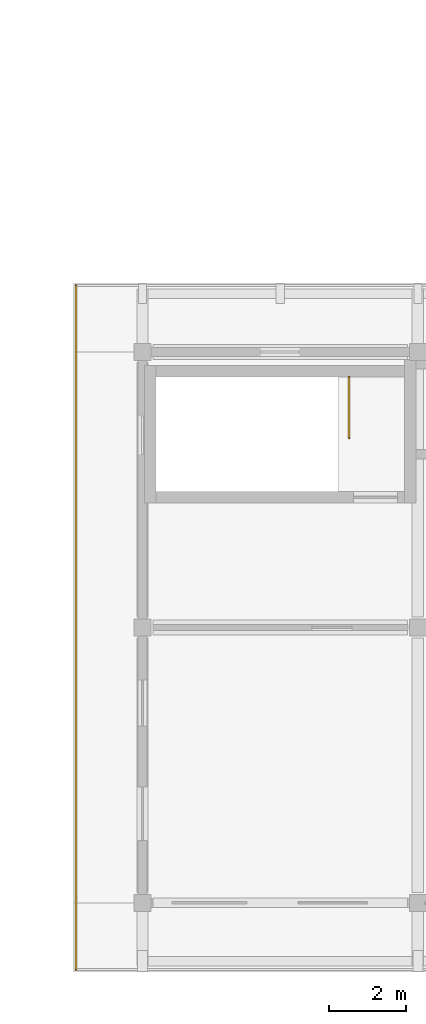
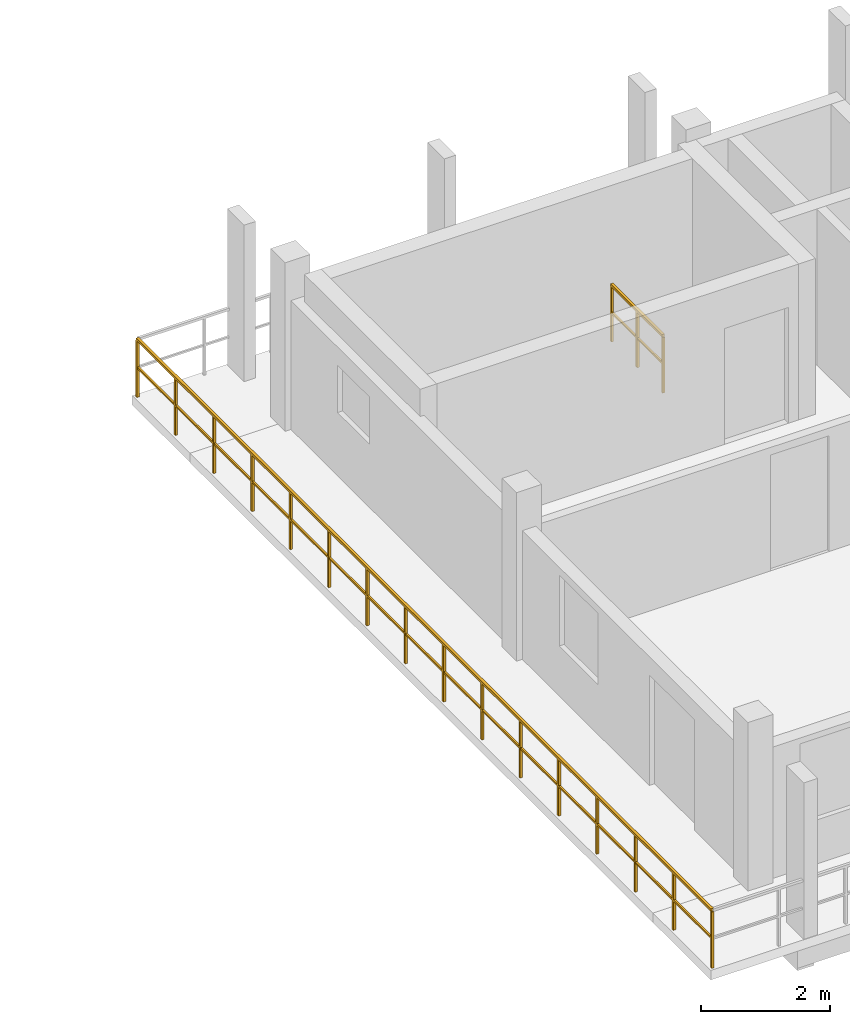
# One storey, part 48 of 56: 2 railings.
"""IFC4 building model written with IfcOpenShell, lengths in metres."""

import ifcopenshell
import ifcopenshell.guid

model = None  # the IFC model being written
_history = None  # IfcOwnerHistory: only IFC2X3 demands one
_inside = {}  # id of a spatial element -> (the spatial element, [elements in it])
_under = {}  # id of a project, library or spatial element -> (it, [spatial elements below it])
_declared = {}  # id of a project -> (the project, [libraries it declares])
_typed = {}  # id of a type object -> (the type object, [elements of that type])
_made_of = {}  # id of a material, layer set ... -> (it, [elements and type objects made of it])


def new_model(schema):
    """Start an empty IFC model of exactly this schema.

    Asked for "IFC4X3", IfcOpenShell would pick the latest addendum, in which some entities
    have other attributes; the version numbers below select the first issue.
    IFC2X3 requires an IfcOwnerHistory on every rooted entity: one is made here for all.
    """
    global model, _history
    if schema == "IFC4X3":
        model = ifcopenshell.file(schema_version=(4, 3, 0, 0))
    else:
        model = ifcopenshell.file(schema=schema)
    _inside.clear()
    _under.clear()
    _declared.clear()
    _typed.clear()
    _made_of.clear()
    _history = None
    if model.schema == "IFC2X3":
        org = make("IfcOrganization", Name="unknown")
        user = make(
            "IfcPersonAndOrganization",
            ThePerson=make("IfcPerson", FamilyName="unknown"),
            TheOrganization=org,
        )
        app = make(
            "IfcApplication",
            ApplicationDeveloper=org,
            Version="unknown",
            ApplicationFullName="unknown",
            ApplicationIdentifier="unknown",
        )
        _history = make(
            "IfcOwnerHistory",
            OwningUser=user,
            OwningApplication=app,
            ChangeAction="ADDED",
            CreationDate=0,
        )
    return model


def make(cls, **values):
    """One entity of the class cls with the attributes given. An attribute that is None is left unset."""
    return model.create_entity(
        cls, **{name: value for name, value in values.items() if value is not None}
    )


def rooted(cls, **values):
    """An entity with a GlobalId (a new one), such as an element, a storey or a relation."""
    return make(cls, GlobalId=ifcopenshell.guid.new(), OwnerHistory=_history, **values)


def si_unit(unit_type, name, prefix=None):
    """IfcSIUnit, for example si_unit("LENGTHUNIT", "METRE", prefix="MILLI")."""
    return make("IfcSIUnit", UnitType=unit_type, Prefix=prefix, Name=name)


def assignment(units):
    """IfcUnitAssignment: the units of a project."""
    return None if units is None else make("IfcUnitAssignment", Units=units)


def point(xyz):
    """IfcCartesianPoint."""
    return None if xyz is None else make("IfcCartesianPoint", Coordinates=xyz)


def direction(xyz):
    """IfcDirection."""
    return None if xyz is None else make("IfcDirection", DirectionRatios=xyz)


def frame(location, z_axis=None, x_axis=None):
    """IfcAxis2Placement3D, a coordinate frame: its origin and axes. An axis left out is left unset."""
    return make(
        "IfcAxis2Placement3D",
        Location=point(location),
        Axis=direction(z_axis),
        RefDirection=direction(x_axis),
    )


def frame_2d(location, x_axis=None):
    """IfcAxis2Placement2D, a coordinate frame in the plane: its origin and x axis."""
    return make(
        "IfcAxis2Placement2D", Location=point(location), RefDirection=direction(x_axis)
    )


def origin():
    """The frame at (0, 0, 0) with its axes left unset."""
    return frame((0.0, 0.0, 0.0))


def origin_2d():
    """The frame at (0, 0) in the plane with its x axis left unset."""
    return frame_2d((0.0, 0.0))


def place(relative_to, where):
    """IfcLocalPlacement: puts the frame where relative to a parent placement (None: the world)."""
    return make(
        "IfcLocalPlacement", PlacementRelTo=relative_to, RelativePlacement=where
    )


def context(
    kind, dimensions, precision=None, world=None, true_north=None, identifier=None
):
    """IfcGeometricRepresentationContext, for example the 3D "Model" context."""
    return make(
        "IfcGeometricRepresentationContext",
        ContextIdentifier=identifier,
        ContextType=kind,
        CoordinateSpaceDimension=dimensions,
        Precision=precision,
        WorldCoordinateSystem=world,
        TrueNorth=true_north,
    )


def subcontext(parent, identifier, kind, view, scale=None):
    """IfcGeometricRepresentationSubContext, for example "Body" below "Model"."""
    return make(
        "IfcGeometricRepresentationSubContext",
        ContextIdentifier=identifier,
        ContextType=kind,
        ParentContext=parent,
        TargetScale=scale,
        TargetView=view,
    )


def project(units=None, contexts=None):
    """IfcProject with its units and contexts."""
    return rooted(
        "IfcProject",
        Name="project",
        RepresentationContexts=contexts,
        UnitsInContext=assignment(units),
    )


def spatial(cls, under=None, at=None, **own):
    """A site, building, storey or space (cls), placed at a placement, below another one or the project."""
    s = rooted(cls, ObjectPlacement=at, **own)
    if under is not None:
        _under.setdefault(under.id(), (under, []))[1].append(s)
    return s


def profile(cls, at=None, kind="AREA", **sizes):
    """A parametric profile (cls). Its sizes go by their IFC names, for example OverallWidth=200.0."""
    return make(cls, ProfileType=kind, Position=at, **sizes)


def rectangle(**sizes):
    """IfcRectangleProfileDef."""
    return profile("IfcRectangleProfileDef", **sizes)


def extrude(swept, where, along, depth):
    """IfcExtrudedAreaSolid: the profile swept, set in the frame where, extruded along a direction by depth."""
    return make(
        "IfcExtrudedAreaSolid",
        SweptArea=swept,
        Position=where,
        ExtrudedDirection=direction(along),
        Depth=depth,
    )


def shape(context_of_items, identifier, shape_type, items):
    """IfcShapeRepresentation: the items that make up one representation, for example the "Body"."""
    return make(
        "IfcShapeRepresentation",
        ContextOfItems=context_of_items,
        RepresentationIdentifier=identifier,
        RepresentationType=shape_type,
        Items=items,
    )


def material(Name=None, Category=None):
    """IfcMaterial."""
    return make("IfcMaterial", Name=Name, Category=Category)


def made_of(thing, what):
    """Note that an element or type object is made of a material, layer set ...; save() writes the relation."""
    if what is not None:
        _made_of.setdefault(what.id(), (what, []))[1].append(thing)
    return thing


def type_object(cls, material=None, **own):
    """A type object (cls), such as IfcWallType, which elements share."""
    return made_of(rooted(cls, **own), material)


def element(
    cls,
    number,
    at=None,
    inside=None,
    cuts=None,
    type_object=None,
    material=None,
    context=None,
    identifier="Body",
    shape_type=None,
    held_by="IfcProductDefinitionShape",
    body=None,
    shapes=None,
    **own,
):
    """One element of the class cls, such as IfcWall. Its Tag is "e" and its number.

    at: its placement. inside: the storey or other place that contains it. cuts: it is an
    opening in that element (IfcRelVoidsElement). A single representation is given by context,
    identifier, shape_type and body (its items); several are given by shapes. held_by: the class
    of the entity that holds the representations. save() writes the other relations.
    """
    e = rooted(cls, Tag="e%d" % number, ObjectPlacement=at, **own)
    if body is not None:
        shapes = [shape(context, identifier, shape_type, body)]
    if shapes is not None:
        e.Representation = make(held_by, Representations=shapes)
    if inside is not None:
        _inside.setdefault(inside.id(), (inside, []))[1].append(e)
    if cuts is not None:
        rooted(
            "IfcRelVoidsElement", RelatingBuildingElement=cuts, RelatedOpeningElement=e
        )
    if type_object is not None:
        _typed.setdefault(type_object.id(), (type_object, []))[1].append(e)
    return made_of(e, material)


def aggregate(whole, parts):
    """IfcRelAggregates: a whole, such as a stair, and the parts it consists of."""
    return rooted("IfcRelAggregates", RelatingObject=whole, RelatedObjects=parts)


def save(model, path):
    """Write the relations noted so far, then the file.

    IfcRelAggregates (storeys below a building ...), IfcRelContainedInSpatialStructure (elements
    in a storey), IfcRelDefinesByType, IfcRelAssociatesMaterial and IfcRelDeclares: one each for
    every whole, place, type object, material and project.
    """
    for whole, parts in _under.values():
        aggregate(whole, parts)
    for where, things in _inside.values():
        rooted(
            "IfcRelContainedInSpatialStructure",
            RelatedElements=things,
            RelatingStructure=where,
        )
    for kind, things in _typed.values():
        rooted("IfcRelDefinesByType", RelatedObjects=things, RelatingType=kind)
    for what, things in _made_of.values():
        rooted("IfcRelAssociatesMaterial", RelatedObjects=things, RelatingMaterial=what)
    for by, libraries in _declared.values():
        rooted("IfcRelDeclares", RelatingContext=by, RelatedDefinitions=libraries)
    model.write(path)


model = new_model("IFC4")

# Units and contexts
model_context = context("Model", 3, precision=1e-05, world=origin(), true_north=direction((0.0, 1.0)))
body_context = subcontext(model_context, "Body", "Model", "MODEL_VIEW")
ifc_project = project(units=[si_unit("LENGTHUNIT", "METRE"), si_unit("AREAUNIT", "SQUARE_METRE"), si_unit("VOLUMEUNIT", "CUBIC_METRE"), si_unit("PLANEANGLEUNIT", "RADIAN"), si_unit("MASSUNIT", "GRAM", prefix="KILO")], contexts=[model_context])

# Site, building, storey
site_placement = place(None, origin())
site = spatial("IfcSite", under=ifc_project, at=site_placement, CompositionType="ELEMENT")
building_placement = place(site_placement, origin())
building = spatial("IfcBuilding", under=site, at=building_placement, Name="Suanplinth Sawtooth Commons", CompositionType="ELEMENT")
storey_placement = place(building_placement, frame((0.0, 0.0, 34.800048828125)))
storey = spatial("IfcBuildingStorey", under=building, at=storey_placement, Name="L10", CompositionType="ELEMENT", Elevation=34.800048828125)

# Railings
ifc_material_1 = material(Name="Powder-coated galvanized steel", Category="steel")
railing_type_1 = type_object("IfcRailingType", Name="GR-01", PredefinedType="BALUSTRADE", material=ifc_material_1)
railing_1_placement = place(storey_placement, frame((135.06005859375, -1.739990234375, 0.0)))
element("IfcRailing", 1, at=railing_1_placement, inside=storey, type_object=railing_type_1, Name="L10 Block C Perimeter Balustrade 1", PredefinedType="BALUSTRADE", context=body_context, shape_type="SweptSolid", body=[
    extrude(rectangle(XDim=0.048095703125, YDim=0.048095703125, at=origin_2d()), frame((0.0, 0.0, 1.09619140625), z_axis=(0.0, 1.0, 0.0), x_axis=(-1.0, 0.0, 0.0)), (0.0, 0.0, 1.0), 17.8798828125),
    extrude(rectangle(XDim=0.03369140625, YDim=0.03369140625, at=origin_2d()), frame((0.0, 0.0, 0.56005859375), z_axis=(0.0, 1.0, 0.0), x_axis=(-1.0, 0.0, 0.0)), (0.0, 0.0, 1.0), 17.8798828125),
    extrude(rectangle(XDim=0.0419921875, YDim=0.0419921875, at=origin_2d()), origin(), (0.0, 0.0, 1.0), 1.072021484375),
    extrude(rectangle(XDim=0.0419921875, YDim=0.0419921875, at=origin_2d()), frame((0.0, 1.19189453125, 0.0)), (0.0, 0.0, 1.0), 1.072021484375),
    extrude(rectangle(XDim=0.0419921875, YDim=0.0419921875, at=origin_2d()), frame((0.0, 2.384033203125, 0.0)), (0.0, 0.0, 1.0), 1.072021484375),
    extrude(rectangle(XDim=0.0419921875, YDim=0.0419921875, at=origin_2d()), frame((0.0, 3.575927734375, 0.0)), (0.0, 0.0, 1.0), 1.072021484375),
    extrude(rectangle(XDim=0.0419921875, YDim=0.0419921875, at=origin_2d()), frame((0.0, 4.76806640625, 0.0)), (0.0, 0.0, 1.0), 1.072021484375),
    extrude(rectangle(XDim=0.0419921875, YDim=0.0419921875, at=origin_2d()), frame((0.0, 5.9599609375, 0.0)), (0.0, 0.0, 1.0), 1.072021484375),
    extrude(rectangle(XDim=0.0419921875, YDim=0.0419921875, at=origin_2d()), frame((0.0, 7.15185546875, 0.0)), (0.0, 0.0, 1.0), 1.072021484375),
    extrude(rectangle(XDim=0.0419921875, YDim=0.0419921875, at=origin_2d()), frame((0.0, 8.343994140625, 0.0)), (0.0, 0.0, 1.0), 1.072021484375),
    extrude(rectangle(XDim=0.0419921875, YDim=0.0419921875, at=origin_2d()), frame((0.0, 9.535888671875, 0.0)), (0.0, 0.0, 1.0), 1.072021484375),
    extrude(rectangle(XDim=0.0419921875, YDim=0.0419921875, at=origin_2d()), frame((0.0, 10.72802734375, 0.0)), (0.0, 0.0, 1.0), 1.072021484375),
    extrude(rectangle(XDim=0.0419921875, YDim=0.0419921875, at=origin_2d()), frame((0.0, 11.919921875, 0.0)), (0.0, 0.0, 1.0), 1.072021484375),
    extrude(rectangle(XDim=0.0419921875, YDim=0.0419921875, at=origin_2d()), frame((0.0, 13.11181640625, 0.0)), (0.0, 0.0, 1.0), 1.072021484375),
    extrude(rectangle(XDim=0.0419921875, YDim=0.0419921875, at=origin_2d()), frame((0.0, 14.303955078125, 0.0)), (0.0, 0.0, 1.0), 1.072021484375),
    extrude(rectangle(XDim=0.0419921875, YDim=0.0419921875, at=origin_2d()), frame((0.0, 15.495849609375, 0.0)), (0.0, 0.0, 1.0), 1.072021484375),
    extrude(rectangle(XDim=0.0419921875, YDim=0.0419921875, at=origin_2d()), frame((0.0, 16.68798828125, 0.0)), (0.0, 0.0, 1.0), 1.072021484375),
    extrude(rectangle(XDim=0.0419921875, YDim=0.0419921875, at=origin_2d()), frame((0.0, 17.8798828125, 0.0)), (0.0, 0.0, 1.0), 1.072021484375),
])
ifc_material_2 = material(Name="Stainless steel Grade 304", Category="steel")
railing_type_2 = type_object("IfcRailingType", Name="GR-04", PredefinedType="GUARDRAIL", material=ifc_material_2)
railing_2_placement = place(storey_placement, frame((142.199951171875, 13.75, 0.0)))
element("IfcRailing", 2, at=railing_2_placement, inside=storey, type_object=railing_type_2, Name="L10 ST-S1 Top Well Guard 1", PredefinedType="GUARDRAIL", context=body_context, shape_type="SweptSolid", body=[
    extrude(rectangle(XDim=0.048095703125, YDim=0.048095703125, at=origin_2d()), frame((0.0, 0.0, 1.076171875), z_axis=(0.0, -1.0, 0.0), x_axis=(1.0, 0.0, 0.0)), (0.0, 0.0, 1.0), 1.60009765625),
    extrude(rectangle(XDim=0.03369140625, YDim=0.03369140625, at=origin_2d()), frame((0.0, 0.0, 0.550048828125), z_axis=(0.0, -1.0, 0.0), x_axis=(1.0, 0.0, 0.0)), (0.0, 0.0, 1.0), 1.60009765625),
    extrude(rectangle(XDim=0.0419921875, YDim=0.0419921875, at=origin_2d()), origin(), (0.0, 0.0, 1.0), 1.052001953125),
    extrude(rectangle(XDim=0.0419921875, YDim=0.0419921875, at=origin_2d()), frame((0.0, -0.800048828125, 0.0)), (0.0, 0.0, 1.0), 1.052001953125),
    extrude(rectangle(XDim=0.0419921875, YDim=0.0419921875, at=origin_2d()), frame((0.0, -1.60009765625, 0.0)), (0.0, 0.0, 1.0), 1.052001953125),
])

save(model, "model.ifc")
